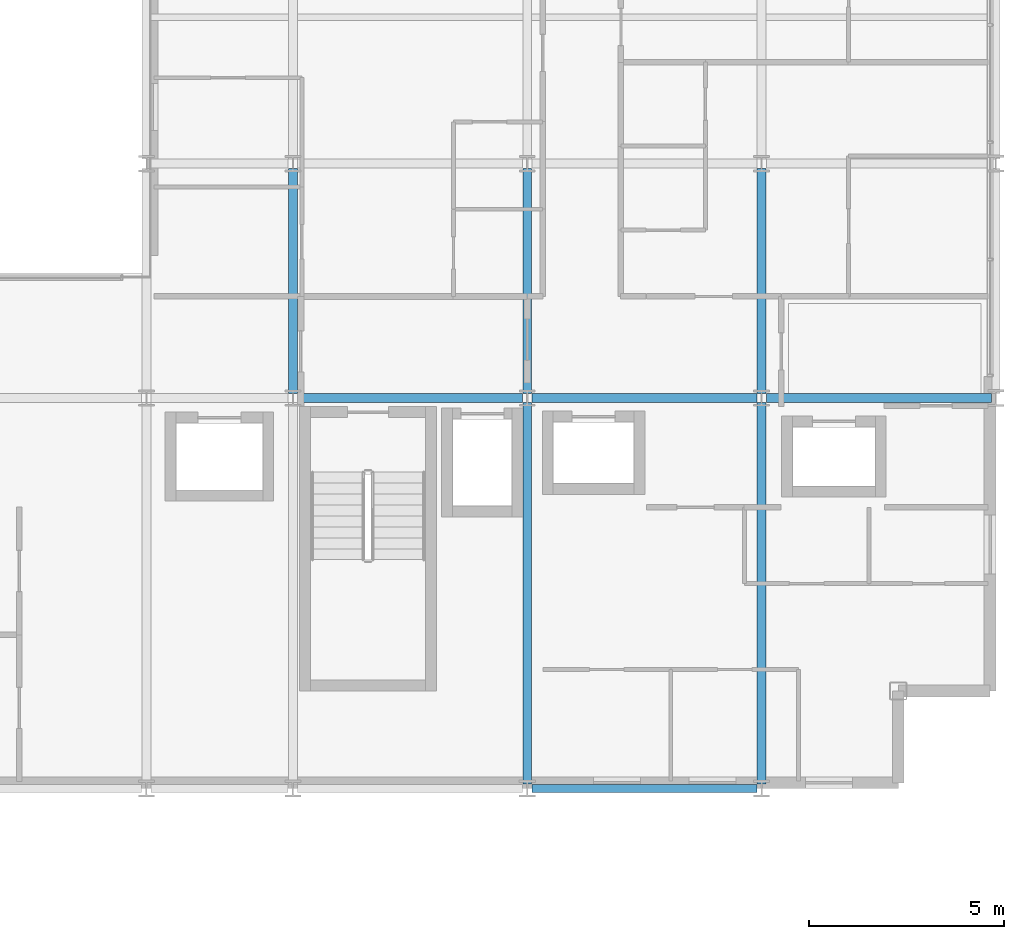
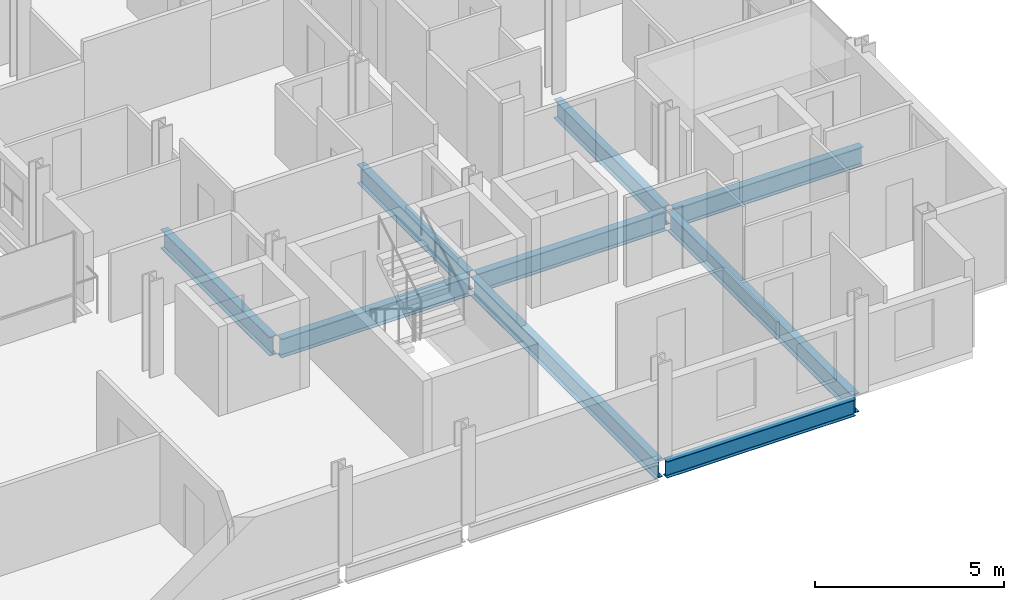
# One storey, part 14 of 40: 9 beams.
"""IFC4 building model written with IfcOpenShell, lengths in metres."""

import ifcopenshell
import ifcopenshell.guid

model = None  # the IFC model being written
_history = None  # IfcOwnerHistory: only IFC2X3 demands one
_inside = {}  # id of a spatial element -> (the spatial element, [elements in it])
_under = {}  # id of a project, library or spatial element -> (it, [spatial elements below it])
_declared = {}  # id of a project -> (the project, [libraries it declares])
_typed = {}  # id of a type object -> (the type object, [elements of that type])
_made_of = {}  # id of a material, layer set ... -> (it, [elements and type objects made of it])


def new_model(schema):
    """Start an empty IFC model of exactly this schema.

    Asked for "IFC4X3", IfcOpenShell would pick the latest addendum, in which some entities
    have other attributes; the version numbers below select the first issue.
    IFC2X3 requires an IfcOwnerHistory on every rooted entity: one is made here for all.
    """
    global model, _history
    if schema == "IFC4X3":
        model = ifcopenshell.file(schema_version=(4, 3, 0, 0))
    else:
        model = ifcopenshell.file(schema=schema)
    _inside.clear()
    _under.clear()
    _declared.clear()
    _typed.clear()
    _made_of.clear()
    _history = None
    if model.schema == "IFC2X3":
        org = make("IfcOrganization", Name="unknown")
        user = make(
            "IfcPersonAndOrganization",
            ThePerson=make("IfcPerson", FamilyName="unknown"),
            TheOrganization=org,
        )
        app = make(
            "IfcApplication",
            ApplicationDeveloper=org,
            Version="unknown",
            ApplicationFullName="unknown",
            ApplicationIdentifier="unknown",
        )
        _history = make(
            "IfcOwnerHistory",
            OwningUser=user,
            OwningApplication=app,
            ChangeAction="ADDED",
            CreationDate=0,
        )
    return model


def make(cls, **values):
    """One entity of the class cls with the attributes given. An attribute that is None is left unset."""
    return model.create_entity(
        cls, **{name: value for name, value in values.items() if value is not None}
    )


def rooted(cls, **values):
    """An entity with a GlobalId (a new one), such as an element, a storey or a relation."""
    return make(cls, GlobalId=ifcopenshell.guid.new(), OwnerHistory=_history, **values)


def si_unit(unit_type, name, prefix=None):
    """IfcSIUnit, for example si_unit("LENGTHUNIT", "METRE", prefix="MILLI")."""
    return make("IfcSIUnit", UnitType=unit_type, Prefix=prefix, Name=name)


def assignment(units):
    """IfcUnitAssignment: the units of a project."""
    return None if units is None else make("IfcUnitAssignment", Units=units)


def point(xyz):
    """IfcCartesianPoint."""
    return None if xyz is None else make("IfcCartesianPoint", Coordinates=xyz)


def direction(xyz):
    """IfcDirection."""
    return None if xyz is None else make("IfcDirection", DirectionRatios=xyz)


def frame(location, z_axis=None, x_axis=None):
    """IfcAxis2Placement3D, a coordinate frame: its origin and axes. An axis left out is left unset."""
    return make(
        "IfcAxis2Placement3D",
        Location=point(location),
        Axis=direction(z_axis),
        RefDirection=direction(x_axis),
    )


def frame_2d(location, x_axis=None):
    """IfcAxis2Placement2D, a coordinate frame in the plane: its origin and x axis."""
    return make(
        "IfcAxis2Placement2D", Location=point(location), RefDirection=direction(x_axis)
    )


def origin():
    """The frame at (0, 0, 0) with its axes left unset."""
    return frame((0.0, 0.0, 0.0))


def origin_2d():
    """The frame at (0, 0) in the plane with its x axis left unset."""
    return frame_2d((0.0, 0.0))


def place(relative_to, where):
    """IfcLocalPlacement: puts the frame where relative to a parent placement (None: the world)."""
    return make(
        "IfcLocalPlacement", PlacementRelTo=relative_to, RelativePlacement=where
    )


def context(
    kind, dimensions, precision=None, world=None, true_north=None, identifier=None
):
    """IfcGeometricRepresentationContext, for example the 3D "Model" context."""
    return make(
        "IfcGeometricRepresentationContext",
        ContextIdentifier=identifier,
        ContextType=kind,
        CoordinateSpaceDimension=dimensions,
        Precision=precision,
        WorldCoordinateSystem=world,
        TrueNorth=true_north,
    )


def subcontext(parent, identifier, kind, view, scale=None):
    """IfcGeometricRepresentationSubContext, for example "Body" below "Model"."""
    return make(
        "IfcGeometricRepresentationSubContext",
        ContextIdentifier=identifier,
        ContextType=kind,
        ParentContext=parent,
        TargetScale=scale,
        TargetView=view,
    )


def project(units=None, contexts=None):
    """IfcProject with its units and contexts."""
    return rooted(
        "IfcProject",
        Name="project",
        RepresentationContexts=contexts,
        UnitsInContext=assignment(units),
    )


def spatial(cls, under=None, at=None, **own):
    """A site, building, storey or space (cls), placed at a placement, below another one or the project."""
    s = rooted(cls, ObjectPlacement=at, **own)
    if under is not None:
        _under.setdefault(under.id(), (under, []))[1].append(s)
    return s


def profile(cls, at=None, kind="AREA", **sizes):
    """A parametric profile (cls). Its sizes go by their IFC names, for example OverallWidth=200.0."""
    return make(cls, ProfileType=kind, Position=at, **sizes)


def i_section(**sizes):
    """IfcIShapeProfileDef."""
    return profile("IfcIShapeProfileDef", **sizes)


def extrude(swept, where, along, depth):
    """IfcExtrudedAreaSolid: the profile swept, set in the frame where, extruded along a direction by depth."""
    return make(
        "IfcExtrudedAreaSolid",
        SweptArea=swept,
        Position=where,
        ExtrudedDirection=direction(along),
        Depth=depth,
    )


def shape(context_of_items, identifier, shape_type, items):
    """IfcShapeRepresentation: the items that make up one representation, for example the "Body"."""
    return make(
        "IfcShapeRepresentation",
        ContextOfItems=context_of_items,
        RepresentationIdentifier=identifier,
        RepresentationType=shape_type,
        Items=items,
    )


def material(Name=None, Category=None):
    """IfcMaterial."""
    return make("IfcMaterial", Name=Name, Category=Category)


def material_profile(
    of_material, cross_section, Name=None, Category=None, Priority=None
):
    """IfcMaterialProfile: a cross section and its material."""
    return make(
        "IfcMaterialProfile",
        Name=Name,
        Material=of_material,
        Profile=cross_section,
        Priority=Priority,
        Category=Category,
    )


def profile_set(profiles, Name=None, composite=None):
    """IfcMaterialProfileSet."""
    return make(
        "IfcMaterialProfileSet",
        Name=Name,
        MaterialProfiles=profiles,
        CompositeProfile=composite,
    )


def made_of(thing, what):
    """Note that an element or type object is made of a material, layer set ...; save() writes the relation."""
    if what is not None:
        _made_of.setdefault(what.id(), (what, []))[1].append(thing)
    return thing


def type_object(cls, material=None, **own):
    """A type object (cls), such as IfcWallType, which elements share."""
    return made_of(rooted(cls, **own), material)


def element(
    cls,
    number,
    at=None,
    inside=None,
    cuts=None,
    type_object=None,
    material=None,
    context=None,
    identifier="Body",
    shape_type=None,
    held_by="IfcProductDefinitionShape",
    body=None,
    shapes=None,
    **own,
):
    """One element of the class cls, such as IfcWall. Its Tag is "e" and its number.

    at: its placement. inside: the storey or other place that contains it. cuts: it is an
    opening in that element (IfcRelVoidsElement). A single representation is given by context,
    identifier, shape_type and body (its items); several are given by shapes. held_by: the class
    of the entity that holds the representations. save() writes the other relations.
    """
    e = rooted(cls, Tag="e%d" % number, ObjectPlacement=at, **own)
    if body is not None:
        shapes = [shape(context, identifier, shape_type, body)]
    if shapes is not None:
        e.Representation = make(held_by, Representations=shapes)
    if inside is not None:
        _inside.setdefault(inside.id(), (inside, []))[1].append(e)
    if cuts is not None:
        rooted(
            "IfcRelVoidsElement", RelatingBuildingElement=cuts, RelatedOpeningElement=e
        )
    if type_object is not None:
        _typed.setdefault(type_object.id(), (type_object, []))[1].append(e)
    return made_of(e, material)


def aggregate(whole, parts):
    """IfcRelAggregates: a whole, such as a stair, and the parts it consists of."""
    return rooted("IfcRelAggregates", RelatingObject=whole, RelatedObjects=parts)


def save(model, path):
    """Write the relations noted so far, then the file.

    IfcRelAggregates (storeys below a building ...), IfcRelContainedInSpatialStructure (elements
    in a storey), IfcRelDefinesByType, IfcRelAssociatesMaterial and IfcRelDeclares: one each for
    every whole, place, type object, material and project.
    """
    for whole, parts in _under.values():
        aggregate(whole, parts)
    for where, things in _inside.values():
        rooted(
            "IfcRelContainedInSpatialStructure",
            RelatedElements=things,
            RelatingStructure=where,
        )
    for kind, things in _typed.values():
        rooted("IfcRelDefinesByType", RelatedObjects=things, RelatingType=kind)
    for what, things in _made_of.values():
        rooted("IfcRelAssociatesMaterial", RelatedObjects=things, RelatingMaterial=what)
    for by, libraries in _declared.values():
        rooted("IfcRelDeclares", RelatingContext=by, RelatedDefinitions=libraries)
    model.write(path)


model = new_model("IFC4")

# Units and contexts
model_context = context("Model", 3, precision=1e-05, world=origin(), true_north=direction((0.0, 1.0)))
body_context = subcontext(model_context, "Body", "Model", "MODEL_VIEW")
ifc_project = project(units=[si_unit("LENGTHUNIT", "METRE"), si_unit("AREAUNIT", "SQUARE_METRE"), si_unit("VOLUMEUNIT", "CUBIC_METRE"), si_unit("PLANEANGLEUNIT", "RADIAN"), si_unit("MASSUNIT", "GRAM", prefix="KILO")], contexts=[model_context])

# Site, building, storey
site_placement = place(None, origin())
site = spatial("IfcSite", under=ifc_project, at=site_placement, CompositionType="ELEMENT")
building_placement = place(site_placement, origin())
building = spatial("IfcBuilding", under=site, at=building_placement, Name="Brevholm Reach", CompositionType="ELEMENT")
storey_placement = place(building_placement, frame((0.0, 0.0, 125.199951171875)))
storey = spatial("IfcBuildingStorey", under=building, at=storey_placement, Name="L37", CompositionType="ELEMENT", Elevation=125.199951171875)

# Beams
ifc_material_1 = material(Name="Structural Steel S355J2", Category="steel")
ifc_material_profile_1 = material_profile(ifc_material_1, i_section(OverallWidth=0.209228515625, OverallDepth=0.533203125, WebThickness=0.010009765625, FlangeThickness=0.015625, FilletRadius=0.0126953125, at=origin_2d()), Name="UKB 533x210x92")
ifc_profile_set_1 = profile_set([ifc_material_profile_1], Name="Structural Steel S355J2")
beam_type_1 = type_object("IfcBeamType", Name="BM-SP533", PredefinedType="SPANDREL", material=ifc_profile_set_1)
beam_1_placement = place(storey_placement, frame((48.1201171875, 0.0, -0.486572265625), z_axis=(1.0, 0.0, 0.0), x_axis=(0.0, 1.0, 0.0)))
element("IfcBeam", 1, at=beam_1_placement, inside=storey, type_object=beam_type_1, Name="L37 SP-02 Framing Beam", PredefinedType="SPANDREL", context=body_context, shape_type="SweptSolid", body=[
    extrude(i_section(OverallWidth=0.209228515625, OverallDepth=0.533203125, WebThickness=0.010009765625, FlangeThickness=0.015625, FilletRadius=0.0126953125, at=origin_2d()), origin(), (0.0, 0.0, 1.0), 5.759765625),
])
ifc_material_2 = material(Name="Structural Steel S355J2", Category="steel")
ifc_material_profile_2 = material_profile(ifc_material_2, i_section(OverallWidth=0.22900390625, OverallDepth=0.6123046875, WebThickness=0.011962890625, FlangeThickness=0.01953125, FilletRadius=0.0126953125, at=origin_2d()), Name="UKB 610x229x125")
ifc_profile_set_2 = profile_set([ifc_material_profile_2], Name="Structural Steel S355J2")
beam_type_2 = type_object("IfcBeamType", Name="BM-SP610", PredefinedType="SPANDREL", material=ifc_profile_set_2)
for number, where, z_axis, x_axis, name in (
    (2, (42.1201171875, 10.0, -0.526123046875), (1.0, 0.0, 0.0), (0.0, 1.0, 0.0), "L37 SP-01 Framing Beam"),
    (3, (48.1201171875, 10.0, -0.526123046875), (1.0, 0.0, 0.0), (0.0, 1.0, 0.0), "L37 SP-01 Framing Beam"),
    (4, (54.1201171875, 10.0, -0.526123046875), (1.0, 0.0, 0.0), (0.0, 1.0, 0.0), "L37 SP-01 Framing Beam"),
    (5, (42.0, 10.1201171875, -0.526123046875), (0.0, 1.0, 0.0), (-1.0, 0.0, 0.0), "L37 SP-01 Framing Beam"),
):
    element("IfcBeam", number, at=place(storey_placement, frame(where, z_axis=z_axis, x_axis=x_axis)), inside=storey, type_object=beam_type_2, Name=name, PredefinedType="SPANDREL", context=body_context, shape_type="SweptSolid", body=[
        extrude(i_section(OverallWidth=0.22900390625, OverallDepth=0.6123046875, WebThickness=0.011962890625, FlangeThickness=0.01953125, FilletRadius=0.0126953125, at=origin_2d()), origin(), (0.0, 0.0, 1.0), 5.759765625),
    ])
beam_2_placement = place(storey_placement, frame((48.0, 0.1201171875, -0.526123046875), z_axis=(0.0, 1.0, 0.0), x_axis=(-1.0, 0.0, 0.0)))
element("IfcBeam", 6, at=beam_2_placement, inside=storey, type_object=beam_type_2, Name="L37 SP-01 Framing Beam", PredefinedType="SPANDREL", context=body_context, shape_type="SweptSolid", body=[
    extrude(i_section(OverallWidth=0.22900390625, OverallDepth=0.6123046875, WebThickness=0.011962890625, FlangeThickness=0.01953125, FilletRadius=0.0126953125, at=origin_2d()), origin(), (0.0, 0.0, 1.0), 9.759765625),
])
beam_3_placement = place(storey_placement, frame((48.0, 10.1201171875, -0.526123046875), z_axis=(0.0, 1.0, 0.0), x_axis=(-1.0, 0.0, 0.0)))
element("IfcBeam", 7, at=beam_3_placement, inside=storey, type_object=beam_type_2, Name="L37 SP-01 Framing Beam", PredefinedType="SPANDREL", context=body_context, shape_type="SweptSolid", body=[
    extrude(i_section(OverallWidth=0.22900390625, OverallDepth=0.6123046875, WebThickness=0.011962890625, FlangeThickness=0.01953125, FilletRadius=0.0126953125, at=origin_2d()), origin(), (0.0, 0.0, 1.0), 5.759765625),
])
beam_4_placement = place(storey_placement, frame((54.0, 0.1201171875, -0.526123046875), z_axis=(0.0, 1.0, 0.0), x_axis=(-1.0, 0.0, 0.0)))
element("IfcBeam", 8, at=beam_4_placement, inside=storey, type_object=beam_type_2, Name="L37 SP-01 Framing Beam", PredefinedType="SPANDREL", context=body_context, shape_type="SweptSolid", body=[
    extrude(i_section(OverallWidth=0.22900390625, OverallDepth=0.6123046875, WebThickness=0.011962890625, FlangeThickness=0.01953125, FilletRadius=0.0126953125, at=origin_2d()), origin(), (0.0, 0.0, 1.0), 9.759765625),
])
beam_5_placement = place(storey_placement, frame((54.0, 10.1201171875, -0.526123046875), z_axis=(0.0, 1.0, 0.0), x_axis=(-1.0, 0.0, 0.0)))
element("IfcBeam", 9, at=beam_5_placement, inside=storey, type_object=beam_type_2, Name="L37 SP-01 Framing Beam", PredefinedType="SPANDREL", context=body_context, shape_type="SweptSolid", body=[
    extrude(i_section(OverallWidth=0.22900390625, OverallDepth=0.6123046875, WebThickness=0.011962890625, FlangeThickness=0.01953125, FilletRadius=0.0126953125, at=origin_2d()), origin(), (0.0, 0.0, 1.0), 5.759765625),
])

save(model, "model.ifc")
